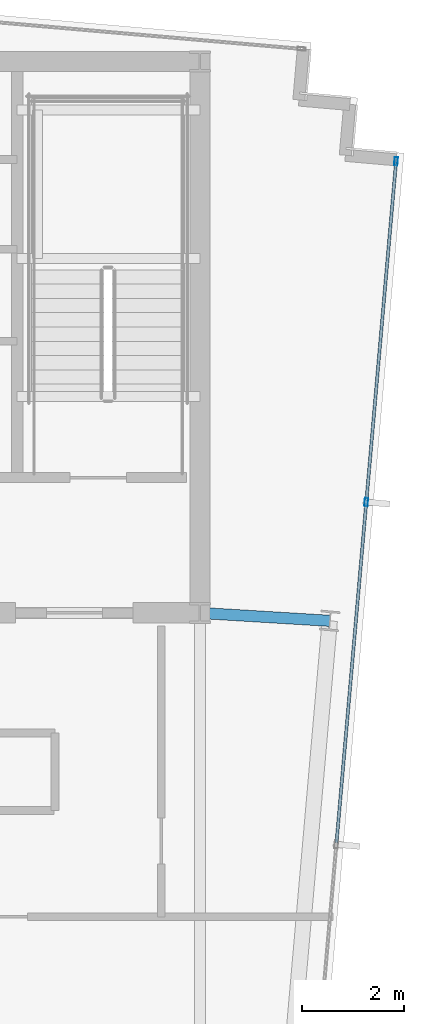
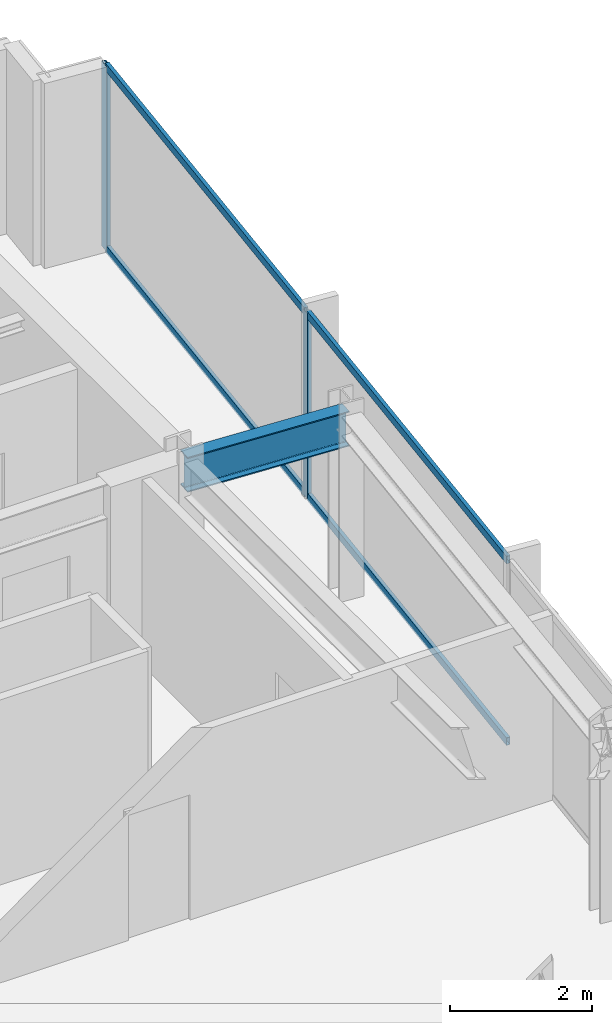
# One storey, part 21 of 32: 6 members, 1 beam, 1 element without a shape of its own.
"""IFC4 building model written with IfcOpenShell, lengths in metres."""

from ifc_helpers import new_model, si_unit, direction, frame, origin, origin_2d, place, context, subcontext, project, spatial, hollow_rectangle, i_section, extrude, material, material_profile, profile_set, type_object, element, aggregate, save


model = new_model("IFC4")

# Units and contexts
model_context = context("Model", 3, precision=1e-05, world=origin(), true_north=direction((0.0, 1.0)))
body_context = subcontext(model_context, "Body", "Model", "MODEL_VIEW")
ifc_project = project(units=[si_unit("LENGTHUNIT", "METRE"), si_unit("AREAUNIT", "SQUARE_METRE"), si_unit("VOLUMEUNIT", "CUBIC_METRE"), si_unit("PLANEANGLEUNIT", "RADIAN"), si_unit("MASSUNIT", "GRAM", prefix="KILO")], contexts=[model_context])

# Site, building, storey
site_placement = place(None, origin())
site = spatial("IfcSite", under=ifc_project, at=site_placement, CompositionType="ELEMENT")
building_placement = place(site_placement, origin())
building = spatial("IfcBuilding", under=site, at=building_placement, Name="Yelkora Congress Tower", CompositionType="ELEMENT")
storey_placement = place(building_placement, frame((0.0, 0.0, 293.10009765625)))
storey = spatial("IfcBuildingStorey", under=building, at=storey_placement, Name="L82", CompositionType="ELEMENT", Elevation=293.10009765625)

# Beam
ifc_material_1 = material(Name="Steel S355J2", Category="steel")
ifc_material_profile_1 = material_profile(ifc_material_1, i_section(OverallWidth=0.219970703125, OverallDepth=0.60009765625, WebThickness=0.011962890625, FlangeThickness=0.01904296875, FilletRadius=0.02392578125, at=origin_2d()), Name="IPE 600")
ifc_profile_set_1 = profile_set([ifc_material_profile_1], Name="Steel S355J2")
beam_type = type_object("IfcBeamType", Name="BM-GIRD-IPE600", PredefinedType="BEAM", material=ifc_profile_set_1)
beam_placement = place(storey_placement, frame((56.302001953125, 35.24560546875, 2.8798828125), z_axis=(-0.99816287892, 0.060587681471, 0.0), x_axis=(-0.060587681471, -0.99816287892, 0.0)))
element("IfcBeam", 1, at=beam_placement, inside=storey, type_object=beam_type, Name="L82 Primary Frame Girder E02", PredefinedType="BEAM", context=body_context, shape_type="SweptSolid", body=[
    extrude(i_section(OverallWidth=0.219970703125, OverallDepth=0.60009765625, WebThickness=0.011962890625, FlangeThickness=0.01904296875, FilletRadius=0.02392578125, at=origin_2d()), origin(), (0.0, 0.0, 1.0), 2.546630859375),
])

# Curtain wall, members
ifc_material_2 = material(Name="Anodised aluminium and insulated glass", Category="aluminium")
curtain_wall_type = type_object("IfcCurtainWallType", Name="CW-SYS-B5", PredefinedType="NOTDEFINED", material=ifc_material_2)
curtain_wall_placement = place(storey_placement, origin())
curtain_wall = element("IfcCurtainWall", 2, at=curtain_wall_placement, inside=storey, type_object=curtain_wall_type, Name="L82 Unitised Curtain Wall 15", PredefinedType="NOTDEFINED")
ifc_material_3 = material(Name="Anodised aluminium 6063-T6", Category="aluminium")
ifc_material_profile_2 = material_profile(ifc_material_3, hollow_rectangle(XDim=0.06494140625, YDim=0.159912109375, WallThickness=0.00390625, at=origin_2d()), Name="ALU 65x160x4")
ifc_profile_set_2 = profile_set([ifc_material_profile_2], Name="Anodised aluminium 6063-T6")
member_type_1 = type_object("IfcMemberType", Name="MEM-ML-B5", PredefinedType="MULLION", material=ifc_profile_set_2)
member_1_placement = place(storey_placement, frame((57.601318359375, 44.243896484375, 0.0), z_axis=(0.0, 0.0, 1.0), x_axis=(0.996194463398, -0.087158425264, 0.0)))
member_1 = element("IfcMember", 3, at=member_1_placement, type_object=member_type_1, Name="CW-B5 mullion 1", PredefinedType="MULLION", context=body_context, shape_type="SweptSolid", body=[
    extrude(hollow_rectangle(XDim=0.06494140625, YDim=0.159912109375, WallThickness=0.00390625, at=origin_2d()), origin(), (0.0, 0.0, 1.0), 3.179931640625),
])
member_2_placement = place(storey_placement, frame((57.017578125, 37.572021484375, 0.0), z_axis=(0.0, 0.0, 1.0), x_axis=(0.996194463398, -0.087158425264, 0.0)))
member_2 = element("IfcMember", 4, at=member_2_placement, type_object=member_type_1, Name="CW-B5 mullion 2", PredefinedType="MULLION", context=body_context, shape_type="SweptSolid", body=[
    extrude(hollow_rectangle(XDim=0.06494140625, YDim=0.159912109375, WallThickness=0.00390625, at=origin_2d()), origin(), (0.0, 0.0, 1.0), 3.179931640625),
])
ifc_material_profile_3 = material_profile(ifc_material_3, hollow_rectangle(XDim=0.06005859375, YDim=0.1298828125, WallThickness=0.00390625, at=origin_2d()), Name="ALU 60x130x4")
ifc_profile_set_3 = profile_set([ifc_material_profile_3], Name="Anodised aluminium 6063-T6")
member_type_2 = type_object("IfcMemberType", Name="MEM-TR-B5", PredefinedType="USERDEFINED", material=ifc_profile_set_3)
member_3_placement = place(storey_placement, frame((57.598388671875, 44.21142578125, 0.02978515625), z_axis=(-0.08716649365, -0.996193757451, 0.0), x_axis=(0.996193757451, -0.08716649365, 0.0)))
member_3 = element("IfcMember", 5, at=member_3_placement, type_object=member_type_2, Name="CW-B5 transom 1.1", ObjectType="TRANSOM", PredefinedType="USERDEFINED", context=body_context, shape_type="SweptSolid", body=[
    extrude(hollow_rectangle(XDim=0.06005859375, YDim=0.1298828125, WallThickness=0.00390625, at=origin_2d()), origin(), (0.0, 0.0, 1.0), 6.63232421875),
])
member_4_placement = place(storey_placement, frame((57.598388671875, 44.21142578125, 3.14990234375), z_axis=(-0.08716649365, -0.996193757451, 0.0), x_axis=(0.996193757451, -0.08716649365, 0.0)))
member_4 = element("IfcMember", 6, at=member_4_placement, type_object=member_type_2, Name="CW-B5 transom 1.2", ObjectType="TRANSOM", PredefinedType="USERDEFINED", context=body_context, shape_type="SweptSolid", body=[
    extrude(hollow_rectangle(XDim=0.06005859375, YDim=0.1298828125, WallThickness=0.00390625, at=origin_2d()), origin(), (0.0, 0.0, 1.0), 6.63232421875),
])
member_5_placement = place(storey_placement, frame((57.0146484375, 37.53955078125, 0.02978515625), z_axis=(-0.087143321513, -0.996195784731, 0.0), x_axis=(0.996195784731, -0.087143321513, 0.0)))
member_5 = element("IfcMember", 7, at=member_5_placement, type_object=member_type_2, Name="CW-B5 transom 2.1", ObjectType="TRANSOM", PredefinedType="USERDEFINED", context=body_context, shape_type="SweptSolid", body=[
    extrude(hollow_rectangle(XDim=0.06005859375, YDim=0.1298828125, WallThickness=0.00390625, at=origin_2d()), origin(), (0.0, 0.0, 1.0), 6.6650390625),
])
member_6_placement = place(storey_placement, frame((57.0146484375, 37.53955078125, 3.14990234375), z_axis=(-0.087143321513, -0.996195784731, 0.0), x_axis=(0.996195784731, -0.087143321513, 0.0)))
member_6 = element("IfcMember", 8, at=member_6_placement, type_object=member_type_2, Name="CW-B5 transom 2.2", ObjectType="TRANSOM", PredefinedType="USERDEFINED", context=body_context, shape_type="SweptSolid", body=[
    extrude(hollow_rectangle(XDim=0.06005859375, YDim=0.1298828125, WallThickness=0.00390625, at=origin_2d()), origin(), (0.0, 0.0, 1.0), 6.6650390625),
])
aggregate(curtain_wall, [member_1, member_2, member_3, member_4, member_5, member_6])

save(model, "model.ifc")
